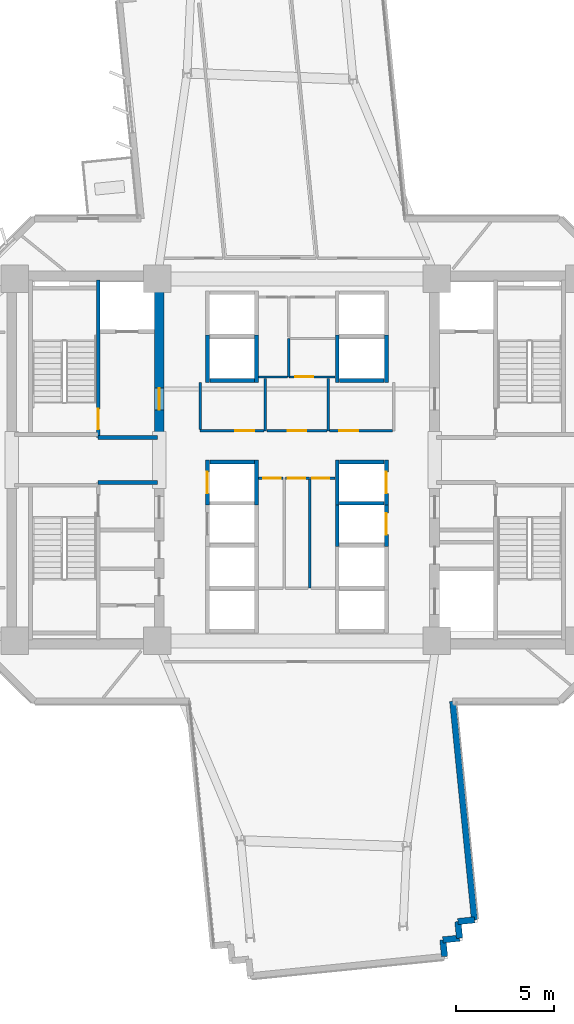
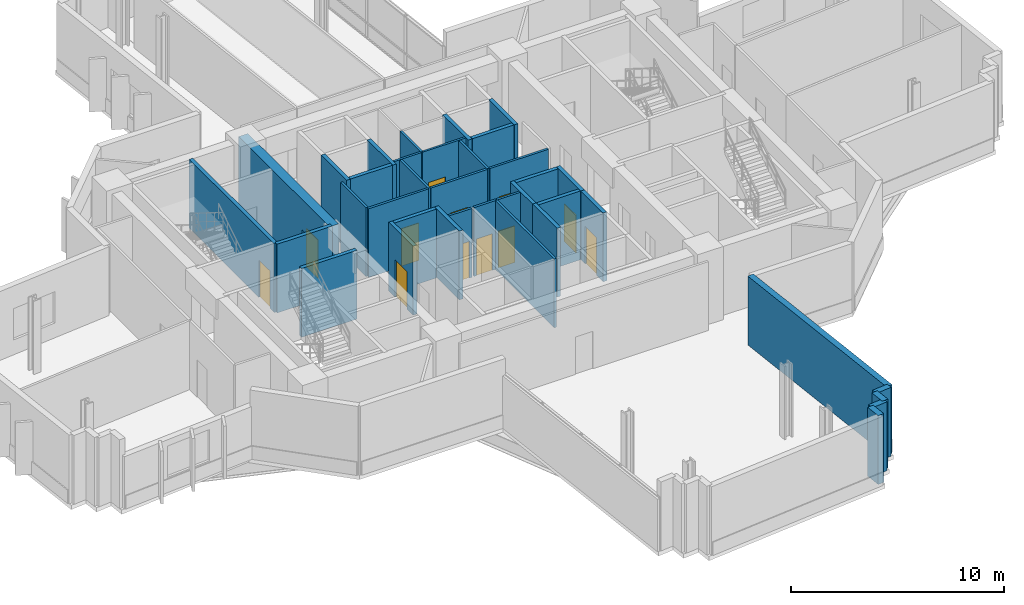
# One storey, part 7 of 14: 37 walls, 12 doors, 12 openings.
"""IFC4 building model written with IfcOpenShell, lengths in metres."""

from ifc_helpers import new_model, si_unit, direction, frame, frame_2d, origin, place, context, subcontext, project, spatial, rectangle, extrude, source, transform, mapped, material, layer, layer_set, type_object, element, fill, save


model = new_model("IFC4")

# Units and contexts
model_context = context("Model", 3, precision=1e-05, world=origin(), true_north=direction((0.0, 1.0)))
body_context = subcontext(model_context, "Body", "Model", "MODEL_VIEW")
ifc_project = project(units=[si_unit("LENGTHUNIT", "METRE"), si_unit("AREAUNIT", "SQUARE_METRE"), si_unit("VOLUMEUNIT", "CUBIC_METRE"), si_unit("PLANEANGLEUNIT", "RADIAN"), si_unit("MASSUNIT", "GRAM", prefix="KILO")], contexts=[model_context])

# Site, building, storey
site_placement = place(None, origin())
site = spatial("IfcSite", under=ifc_project, at=site_placement, CompositionType="ELEMENT")
building_placement = place(site_placement, origin())
building = spatial("IfcBuilding", under=site, at=building_placement, Name="Zahravan Cultural Tower", CompositionType="ELEMENT")
storey_placement = place(building_placement, frame((0.0, 0.0, 100.5)))
storey = spatial("IfcBuildingStorey", under=building, at=storey_placement, Name="L22", CompositionType="ELEMENT", Elevation=100.5)

# Wall, opening, door
ifc_material_1 = material(Name="Concrete C60/75", Category="concrete")
ifc_layer_1 = layer(ifc_material_1, 0.5)
ifc_layer_set_1 = layer_set([ifc_layer_1], Name="Concrete C60/75")
wall_type_1 = type_object("IfcWallType", Name="CW-SHEAR-500-C60", PredefinedType="SHEAR", material=ifc_layer_set_1)
wall_1_placement = place(storey_placement, frame((29.0, 28.050048828125, 0.0), z_axis=(0.0, 0.0, 1.0), x_axis=(0.0, 1.0, 0.0)))
wall_1 = element("IfcWall", 1, at=wall_1_placement, inside=storey, type_object=wall_type_1, Name="L22 Core Shear Wall CW-W-EN-L22", PredefinedType="SHEAR", context=body_context, shape_type="SweptSolid", body=[
    extrude(rectangle(XDim=8.550048828125, YDim=0.5, at=frame_2d((4.27490234375, 0.0))), origin(), (0.0, 0.0, 1.0), 3.949951171875),
])
opening_1_placement = place(wall_1_placement, frame((1.5, 0.0, 0.0)))
opening_1 = element("IfcOpeningElement", 2, at=opening_1_placement, cuts=wall_1, Name="Opening D-L22-05", PredefinedType="OPENING", context=body_context, shape_type="SweptSolid", body=[
    extrude(rectangle(XDim=1.10009765625, YDim=2.199951171875, at=frame_2d((0.550048828125, 1.10009765625))), frame((0.0, 0.260009765625, 0.0), z_axis=(0.0, -1.0, 0.0), x_axis=(1.0, 0.0, 0.0)), (0.0, 0.0, 1.0), 0.52001953125),
])
ifc_material_2 = material(Name="Steel ASTM A572 Grade 50", Category="steel")
door_type_1 = type_object("IfcDoorType", Name="DR-LOBBY-1100", OperationType="NOTDEFINED", PredefinedType="DOOR", material=ifc_material_2)
shared_shape_1 = source(origin(), body_context, "Body", "SweptSolid", [
    extrude(rectangle(XDim=1.10009765625, YDim=2.199951171875, at=frame_2d((0.550048828125, 1.10009765625))), frame((0.0, 0.02490234375, 0.0), z_axis=(0.0, -1.0, 0.0), x_axis=(1.0, 0.0, 0.0)), (0.0, 0.0, 1.0), 0.050048828125),
])
door_1_placement = place(opening_1_placement, origin())
door_1 = element("IfcDoor", 3, at=door_1_placement, inside=storey, type_object=door_type_1, Name="L22 Door D-L22-05", OperationType="SINGLE_SWING_RIGHT", OverallHeight=2.199951171875, OverallWidth=1.10009765625, PredefinedType="DOOR", context=body_context, shape_type="MappedRepresentation", body=[
    mapped(shared_shape_1, transform((0.0, 0.0, 0.0), x_axis=(1.0, 0.0, 0.0), y_axis=(0.0, 1.0, 0.0), z_axis=(0.0, 0.0, 1.0), scale=1.0)),
])
fill(opening_1, door_1)

ifc_material_3 = material(Name="Gypsum plasterboard partition")
ifc_layer_2 = layer(ifc_material_3, 0.125)
ifc_layer_set_2 = layer_set([ifc_layer_2], Name="Gypsum plasterboard partition")
wall_type_2 = type_object("IfcWallType", Name="W-PART-125", PredefinedType="PARTITIONING", material=ifc_layer_set_2)
wall_2_placement = place(storey_placement, frame((35.427490234375, 26.080078125, 0.0), z_axis=(0.0, 0.0, 1.0), x_axis=(1.0, 0.0, 0.0)))
wall_2 = element("IfcWall", 4, at=wall_2_placement, inside=storey, type_object=wall_type_2, Name="L22 Interior Wall 077", PredefinedType="PARTITIONING", context=body_context, shape_type="SweptSolid", body=[
    extrude(rectangle(XDim=1.21240234375, YDim=0.125, at=frame_2d((0.606201171875, 0.0))), origin(), (0.0, 0.0, 1.0), 3.949951171875),
])
opening_2_placement = place(wall_2_placement, frame((0.116455078125, 0.0, 0.0)))
opening_2 = element("IfcOpeningElement", 5, at=opening_2_placement, cuts=wall_2, Name="Opening D-L22-16", PredefinedType="OPENING", context=body_context, shape_type="SweptSolid", body=[
    extrude(rectangle(XDim=0.8798828125, YDim=2.10009765625, at=frame_2d((0.43994140625, 1.050048828125))), frame((0.0, 0.072509765625, 0.0), z_axis=(0.0, -1.0, 0.0), x_axis=(1.0, 0.0, 0.0)), (0.0, 0.0, 1.0), 0.14501953125),
])
ifc_material_4 = material(Name="Anodised bronze-aluminium mullion", Category="aluminium")
door_type_2 = type_object("IfcDoorType", Name="DR-ROOM-880", OperationType="NOTDEFINED", PredefinedType="DOOR", material=ifc_material_4)
shared_shape_2 = source(origin(), body_context, "Body", "SweptSolid", [
    extrude(rectangle(XDim=0.8798828125, YDim=2.10009765625, at=frame_2d((0.43994140625, 1.050048828125))), frame((0.0, 0.02490234375, 0.0), z_axis=(0.0, -1.0, 0.0), x_axis=(1.0, 0.0, 0.0)), (0.0, 0.0, 1.0), 0.050048828125),
])
door_2_placement = place(opening_2_placement, origin())
door_2 = element("IfcDoor", 6, at=door_2_placement, inside=storey, type_object=door_type_2, Name="L22 Door D-L22-16", OperationType="SINGLE_SWING_LEFT", OverallHeight=2.10009765625, OverallWidth=0.8798828125, PredefinedType="DOOR", context=body_context, shape_type="MappedRepresentation", body=[
    mapped(shared_shape_2, transform((0.0, 0.0, 0.0), x_axis=(1.0, 0.0, 0.0), y_axis=(0.0, 1.0, 0.0), z_axis=(0.0, 0.0, 1.0), scale=1.0)),
])
fill(opening_2, door_2)

wall_3_placement = place(storey_placement, frame((34.054931640625, 26.080078125, 0.0), z_axis=(0.0, 0.0, 1.0), x_axis=(1.0, 0.0, 0.0)))
wall_3 = element("IfcWall", 7, at=wall_3_placement, inside=storey, type_object=wall_type_2, Name="L22 Interior Wall 080", PredefinedType="PARTITIONING", context=body_context, shape_type="SweptSolid", body=[
    extrude(rectangle(XDim=1.237548828125, YDim=0.125, at=frame_2d((0.61865234375, 0.0))), origin(), (0.0, 0.0, 1.0), 3.949951171875),
])
opening_3_placement = place(wall_3_placement, frame((0.232421875, 0.0, 0.0)))
opening_3 = element("IfcOpeningElement", 8, at=opening_3_placement, cuts=wall_3, Name="Opening D-L22-15", PredefinedType="OPENING", context=body_context, shape_type="SweptSolid", body=[
    extrude(rectangle(XDim=0.8798828125, YDim=2.10009765625, at=frame_2d((0.43994140625, 1.050048828125))), frame((0.0, 0.072509765625, 0.0), z_axis=(0.0, -1.0, 0.0), x_axis=(1.0, 0.0, 0.0)), (0.0, 0.0, 1.0), 0.14501953125),
])
door_3_placement = place(opening_3_placement, origin())
door_3 = element("IfcDoor", 9, at=door_3_placement, inside=storey, type_object=door_type_2, Name="L22 Door D-L22-15", OperationType="SINGLE_SWING_RIGHT", OverallHeight=2.10009765625, OverallWidth=0.8798828125, PredefinedType="DOOR", context=body_context, shape_type="MappedRepresentation", body=[
    mapped(shared_shape_2, transform((0.0, 0.0, 0.0), x_axis=(1.0, 0.0, 0.0), y_axis=(0.0, 1.0, 0.0), z_axis=(0.0, 0.0, 1.0), scale=1.0)),
])
fill(opening_3, door_3)

wall_4_placement = place(storey_placement, frame((36.679931640625, 26.080078125, 0.0), z_axis=(0.0, 0.0, 1.0), x_axis=(1.0, 0.0, 0.0)))
wall_4 = element("IfcWall", 10, at=wall_4_placement, inside=storey, type_object=wall_type_2, Name="L22 Interior Wall 082", PredefinedType="PARTITIONING", context=body_context, shape_type="SweptSolid", body=[
    extrude(rectangle(XDim=1.26513671875, YDim=0.125, at=frame_2d((0.632568359375, 0.0))), origin(), (0.0, 0.0, 1.0), 3.949951171875),
])
opening_4_placement = place(wall_4_placement, frame((0.09033203125, 0.0, 0.0)))
opening_4 = element("IfcOpeningElement", 11, at=opening_4_placement, cuts=wall_4, Name="Opening D-L22-17", PredefinedType="OPENING", context=body_context, shape_type="SweptSolid", body=[
    extrude(rectangle(XDim=0.8798828125, YDim=2.10009765625, at=frame_2d((0.43994140625, 1.050048828125))), frame((0.0, 0.072509765625, 0.0), z_axis=(0.0, -1.0, 0.0), x_axis=(1.0, 0.0, 0.0)), (0.0, 0.0, 1.0), 0.14501953125),
])
door_4_placement = place(opening_4_placement, origin())
door_4 = element("IfcDoor", 12, at=door_4_placement, inside=storey, type_object=door_type_2, Name="L22 Door D-L22-17", OperationType="SINGLE_SWING_RIGHT", OverallHeight=2.10009765625, OverallWidth=0.8798828125, PredefinedType="DOOR", context=body_context, shape_type="MappedRepresentation", body=[
    mapped(shared_shape_2, transform((0.0, 0.0, 0.0), x_axis=(1.0, 0.0, 0.0), y_axis=(0.0, 1.0, 0.0), z_axis=(0.0, 0.0, 1.0), scale=1.0)),
])
fill(opening_4, door_4)

wall_5_placement = place(storey_placement, frame((37.532470703125, 28.47998046875, 0.0), z_axis=(0.0, 0.0, 1.0), x_axis=(-1.0, 0.0, 0.0)))
wall_5 = element("IfcWall", 13, at=wall_5_placement, inside=storey, type_object=wall_type_2, Name="L22 Interior Wall 086", PredefinedType="PARTITIONING", context=body_context, shape_type="SweptSolid", body=[
    extrude(rectangle(XDim=3.06494140625, YDim=0.125, at=frame_2d((1.532470703125, 0.0))), origin(), (0.0, 0.0, 1.0), 3.949951171875),
])
opening_5_placement = place(wall_5_placement, frame((1.0576171875, 0.0, 0.0)))
opening_5 = element("IfcOpeningElement", 14, at=opening_5_placement, cuts=wall_5, Name="Opening D-L22-19", PredefinedType="OPENING", context=body_context, shape_type="SweptSolid", body=[
    extrude(rectangle(XDim=0.949951171875, YDim=2.14990234375, at=frame_2d((0.47509765625, 1.074951171875))), frame((0.0, 0.072509765625, 0.0), z_axis=(0.0, -1.0, 0.0), x_axis=(1.0, 0.0, 0.0)), (0.0, 0.0, 1.0), 0.14501953125),
])
door_type_3 = type_object("IfcDoorType", Name="DR-ROOM-950", OperationType="NOTDEFINED", PredefinedType="DOOR", material=ifc_material_4)
shared_shape_3 = source(origin(), body_context, "Body", "SweptSolid", [
    extrude(rectangle(XDim=0.949951171875, YDim=2.14990234375, at=frame_2d((0.47509765625, 1.074951171875))), frame((0.0, 0.02490234375, 0.0), z_axis=(0.0, -1.0, 0.0), x_axis=(1.0, 0.0, 0.0)), (0.0, 0.0, 1.0), 0.050048828125),
])
door_5_placement = place(opening_5_placement, origin())
door_5 = element("IfcDoor", 15, at=door_5_placement, inside=storey, type_object=door_type_3, Name="L22 Door D-L22-19", OperationType="SINGLE_SWING_RIGHT", OverallHeight=2.14990234375, OverallWidth=0.949951171875, PredefinedType="DOOR", context=body_context, shape_type="MappedRepresentation", body=[
    mapped(shared_shape_3, transform((0.0, 0.0, 0.0), x_axis=(1.0, 0.0, 0.0), y_axis=(0.0, 1.0, 0.0), z_axis=(0.0, 0.0, 1.0), scale=1.0)),
])
fill(opening_5, door_5)

wall_6_placement = place(storey_placement, frame((34.33251953125, 28.47998046875, 0.0), z_axis=(0.0, 0.0, 1.0), x_axis=(-1.0, 0.0, 0.0)))
wall_6 = element("IfcWall", 16, at=wall_6_placement, inside=storey, type_object=wall_type_2, Name="L22 Interior Wall 087", PredefinedType="PARTITIONING", context=body_context, shape_type="SweptSolid", body=[
    extrude(rectangle(XDim=3.25244140625, YDim=0.125, at=frame_2d((1.626220703125, 0.0))), origin(), (0.0, 0.0, 1.0), 3.949951171875),
])
opening_6_placement = place(wall_6_placement, frame((0.506591796875, 0.0, 0.0)))
opening_6 = element("IfcOpeningElement", 17, at=opening_6_placement, cuts=wall_6, Name="Opening D-L22-18", PredefinedType="OPENING", context=body_context, shape_type="SweptSolid", body=[
    extrude(rectangle(XDim=0.949951171875, YDim=2.14990234375, at=frame_2d((0.47509765625, 1.074951171875))), frame((0.0, 0.072509765625, 0.0), z_axis=(0.0, -1.0, 0.0), x_axis=(1.0, 0.0, 0.0)), (0.0, 0.0, 1.0), 0.14501953125),
])
door_6_placement = place(opening_6_placement, origin())
door_6 = element("IfcDoor", 18, at=door_6_placement, inside=storey, type_object=door_type_3, Name="L22 Door D-L22-18", OperationType="SINGLE_SWING_LEFT", OverallHeight=2.14990234375, OverallWidth=0.949951171875, PredefinedType="DOOR", context=body_context, shape_type="MappedRepresentation", body=[
    mapped(shared_shape_3, transform((0.0, 0.0, 0.0), x_axis=(1.0, 0.0, 0.0), y_axis=(0.0, 1.0, 0.0), z_axis=(0.0, 0.0, 1.0), scale=1.0)),
])
fill(opening_6, door_6)

wall_7_placement = place(storey_placement, frame((40.8525390625, 28.47998046875, 0.0), z_axis=(0.0, 0.0, 1.0), x_axis=(-1.0, 0.0, 0.0)))
wall_7 = element("IfcWall", 19, at=wall_7_placement, inside=storey, type_object=wall_type_2, Name="L22 Interior Wall 090", PredefinedType="PARTITIONING", context=body_context, shape_type="SweptSolid", body=[
    extrude(rectangle(XDim=3.18505859375, YDim=0.125, at=frame_2d((1.592529296875, 0.0))), origin(), (0.0, 0.0, 1.0), 3.949951171875),
])
opening_7_placement = place(wall_7_placement, frame((1.743408203125, 0.0, 0.0)))
opening_7 = element("IfcOpeningElement", 20, at=opening_7_placement, cuts=wall_7, Name="Opening D-L22-20", PredefinedType="OPENING", context=body_context, shape_type="SweptSolid", body=[
    extrude(rectangle(XDim=0.949951171875, YDim=2.14990234375, at=frame_2d((0.47509765625, 1.074951171875))), frame((0.0, 0.072509765625, 0.0), z_axis=(0.0, -1.0, 0.0), x_axis=(1.0, 0.0, 0.0)), (0.0, 0.0, 1.0), 0.14501953125),
])
door_7_placement = place(opening_7_placement, origin())
door_7 = element("IfcDoor", 21, at=door_7_placement, inside=storey, type_object=door_type_3, Name="L22 Door D-L22-20", OperationType="SINGLE_SWING_LEFT", OverallHeight=2.14990234375, OverallWidth=0.949951171875, PredefinedType="DOOR", context=body_context, shape_type="MappedRepresentation", body=[
    mapped(shared_shape_3, transform((0.0, 0.0, 0.0), x_axis=(1.0, 0.0, 0.0), y_axis=(0.0, 1.0, 0.0), z_axis=(0.0, 0.0, 1.0), scale=1.0)),
])
fill(opening_7, door_7)

ifc_material_5 = material(Name="Concrete C45/55", Category="concrete")
ifc_layer_3 = layer(ifc_material_5, 0.199951171875)
ifc_layer_set_3 = layer_set([ifc_layer_3], Name="Concrete C45/55")
wall_type_3 = type_object("IfcWallType", Name="W-SHAFT-200", PredefinedType="SOLIDWALL", material=ifc_layer_set_3)
wall_8_placement = place(storey_placement, frame((25.89990234375, 28.14990234375, 0.0), z_axis=(0.0, 0.0, 1.0), x_axis=(0.0, 1.0, 0.0)))
wall_8 = element("IfcWall", 22, at=wall_8_placement, inside=storey, type_object=wall_type_3, Name="L22 Interior Wall 006", PredefinedType="SOLIDWALL", context=body_context, shape_type="SweptSolid", body=[
    extrude(rectangle(XDim=8.0, YDim=0.199951171875, at=frame_2d((4.0, 0.0))), origin(), (0.0, 0.0, 1.0), 3.949951171875),
])
opening_8_placement = place(wall_8_placement, frame((0.39990234375, 0.0, 0.0)))
opening_8 = element("IfcOpeningElement", 23, at=opening_8_placement, cuts=wall_8, Name="Opening D-L22-01", PredefinedType="OPENING", context=body_context, shape_type="SweptSolid", body=[
    extrude(rectangle(XDim=1.050048828125, YDim=2.14990234375, at=frame_2d((0.52490234375, 1.074951171875))), frame((0.0, 0.10986328125, 0.0), z_axis=(0.0, -1.0, 0.0), x_axis=(1.0, 0.0, 0.0)), (0.0, 0.0, 1.0), 0.219970703125),
])
door_type_4 = type_object("IfcDoorType", Name="DR-STAIR-1050", OperationType="NOTDEFINED", PredefinedType="DOOR", material=ifc_material_2)
shared_shape_4 = source(origin(), body_context, "Body", "SweptSolid", [
    extrude(rectangle(XDim=1.050048828125, YDim=2.14990234375, at=frame_2d((0.52490234375, 1.074951171875))), frame((0.0, 0.02490234375, 0.0), z_axis=(0.0, -1.0, 0.0), x_axis=(1.0, 0.0, 0.0)), (0.0, 0.0, 1.0), 0.050048828125),
])
door_8_placement = place(opening_8_placement, origin())
door_8 = element("IfcDoor", 24, at=door_8_placement, inside=storey, type_object=door_type_4, Name="L22 Door D-L22-01", OperationType="SINGLE_SWING_RIGHT", OverallHeight=2.14990234375, OverallWidth=1.050048828125, PredefinedType="DOOR", context=body_context, shape_type="MappedRepresentation", body=[
    mapped(shared_shape_4, transform((0.0, 0.0, 0.0), x_axis=(1.0, 0.0, 0.0), y_axis=(0.0, 1.0, 0.0), z_axis=(0.0, 0.0, 1.0), scale=1.0)),
])
fill(opening_8, door_8)

wall_9_placement = place(storey_placement, frame((31.449951171875, 24.699951171875, 0.0), z_axis=(0.0, 0.0, 1.0), x_axis=(0.0, 1.0, 0.0)))
wall_9 = element("IfcWall", 25, at=wall_9_placement, inside=storey, type_object=wall_type_3, Name="L22 Interior Wall 057", PredefinedType="SOLIDWALL", context=body_context, shape_type="SweptSolid", body=[
    extrude(rectangle(XDim=2.300048828125, YDim=0.199951171875, at=frame_2d((1.14990234375, 0.0))), origin(), (0.0, 0.0, 1.0), 3.949951171875),
])
opening_9_placement = place(wall_9_placement, frame((0.60009765625, 0.0, 0.0)))
opening_9 = element("IfcOpeningElement", 26, at=opening_9_placement, cuts=wall_9, Name="Opening LD-L22-04", PredefinedType="OPENING", context=body_context, shape_type="SweptSolid", body=[
    extrude(rectangle(XDim=1.10009765625, YDim=2.14990234375, at=frame_2d((0.550048828125, 1.074951171875))), frame((0.0, 0.10986328125, 0.0), z_axis=(0.0, -1.0, 0.0), x_axis=(1.0, 0.0, 0.0)), (0.0, 0.0, 1.0), 0.219970703125),
])
door_type_5 = type_object("IfcDoorType", Name="DR-LIFT-1100", OperationType="DOUBLE_DOOR_SLIDING", PredefinedType="DOOR", material=ifc_material_2)
shared_shape_5 = source(origin(), body_context, "Body", "SweptSolid", [
    extrude(rectangle(XDim=1.10009765625, YDim=2.14990234375, at=frame_2d((0.550048828125, 1.074951171875))), frame((0.0, 0.02490234375, 0.0), z_axis=(0.0, -1.0, 0.0), x_axis=(1.0, 0.0, 0.0)), (0.0, 0.0, 1.0), 0.050048828125),
])
door_9_placement = place(opening_9_placement, origin())
door_9 = element("IfcDoor", 27, at=door_9_placement, inside=storey, type_object=door_type_5, Name="L22 Door LD-L22-04", OperationType="DOUBLE_DOOR_SLIDING", OverallHeight=2.14990234375, OverallWidth=1.10009765625, PredefinedType="DOOR", context=body_context, shape_type="MappedRepresentation", body=[
    mapped(shared_shape_5, transform((0.0, 0.0, 0.0), x_axis=(1.0, 0.0, 0.0), y_axis=(0.0, 1.0, 0.0), z_axis=(0.0, 0.0, 1.0), scale=1.0)),
])
fill(opening_9, door_9)

wall_10_placement = place(storey_placement, frame((40.550048828125, 24.699951171875, 0.0), z_axis=(0.0, 0.0, 1.0), x_axis=(0.0, 1.0, 0.0)))
wall_10 = element("IfcWall", 28, at=wall_10_placement, inside=storey, type_object=wall_type_3, Name="L22 Interior Wall 064", PredefinedType="SOLIDWALL", context=body_context, shape_type="SweptSolid", body=[
    extrude(rectangle(XDim=2.300048828125, YDim=0.199951171875, at=frame_2d((1.14990234375, 0.0))), origin(), (0.0, 0.0, 1.0), 3.949951171875),
])
opening_10_placement = place(wall_10_placement, frame((0.60009765625, 0.0, 0.0)))
opening_10 = element("IfcOpeningElement", 29, at=opening_10_placement, cuts=wall_10, Name="Opening LD-L22-06", PredefinedType="OPENING", context=body_context, shape_type="SweptSolid", body=[
    extrude(rectangle(XDim=1.10009765625, YDim=2.14990234375, at=frame_2d((0.550048828125, 1.074951171875))), frame((0.0, 0.10986328125, 0.0), z_axis=(0.0, -1.0, 0.0), x_axis=(1.0, 0.0, 0.0)), (0.0, 0.0, 1.0), 0.219970703125),
])
door_10_placement = place(opening_10_placement, origin())
door_10 = element("IfcDoor", 30, at=door_10_placement, inside=storey, type_object=door_type_5, Name="L22 Door LD-L22-06", OperationType="DOUBLE_DOOR_SLIDING", OverallHeight=2.14990234375, OverallWidth=1.10009765625, PredefinedType="DOOR", context=body_context, shape_type="MappedRepresentation", body=[
    mapped(shared_shape_5, transform((0.0, 0.0, 0.0), x_axis=(1.0, 0.0, 0.0), y_axis=(0.0, 1.0, 0.0), z_axis=(0.0, 0.0, 1.0), scale=1.0)),
])
fill(opening_10, door_10)

wall_11_placement = place(storey_placement, frame((40.550048828125, 22.60009765625, 0.0), z_axis=(0.0, 0.0, 1.0), x_axis=(0.0, 1.0, 0.0)))
wall_11 = element("IfcWall", 31, at=wall_11_placement, inside=storey, type_object=wall_type_3, Name="L22 Interior Wall 068", PredefinedType="SOLIDWALL", context=body_context, shape_type="SweptSolid", body=[
    extrude(rectangle(XDim=2.2998046875, YDim=0.199951171875, at=frame_2d((1.14990234375, 0.0))), origin(), (0.0, 0.0, 1.0), 3.949951171875),
])
opening_11_placement = place(wall_11_placement, frame((0.60009765625, 0.0, 0.0)))
opening_11 = element("IfcOpeningElement", 32, at=opening_11_placement, cuts=wall_11, Name="Opening LD-L22-07", PredefinedType="OPENING", context=body_context, shape_type="SweptSolid", body=[
    extrude(rectangle(XDim=1.10009765625, YDim=2.14990234375, at=frame_2d((0.550048828125, 1.074951171875))), frame((0.0, 0.10986328125, 0.0), z_axis=(0.0, -1.0, 0.0), x_axis=(1.0, 0.0, 0.0)), (0.0, 0.0, 1.0), 0.219970703125),
])
door_11_placement = place(opening_11_placement, origin())
door_11 = element("IfcDoor", 33, at=door_11_placement, inside=storey, type_object=door_type_5, Name="L22 Door LD-L22-07", OperationType="DOUBLE_DOOR_SLIDING", OverallHeight=2.14990234375, OverallWidth=1.10009765625, PredefinedType="DOOR", context=body_context, shape_type="MappedRepresentation", body=[
    mapped(shared_shape_5, transform((0.0, 0.0, 0.0), x_axis=(1.0, 0.0, 0.0), y_axis=(0.0, 1.0, 0.0), z_axis=(0.0, 0.0, 1.0), scale=1.0)),
])
fill(opening_11, door_11)

ifc_layer_4 = layer(ifc_material_3, 0.114990234375)
ifc_layer_set_4 = layer_set([ifc_layer_4], Name="Gypsum plasterboard partition")
wall_type_4 = type_object("IfcWallType", Name="W-WC-115", PredefinedType="PARTITIONING", material=ifc_layer_set_4)
wall_12_placement = place(storey_placement, frame((37.945068359375, 31.219970703125, 0.0), z_axis=(0.0, 0.0, 1.0), x_axis=(-1.0, 0.0, 0.0)))
wall_12 = element("IfcWall", 34, at=wall_12_placement, inside=storey, type_object=wall_type_4, Name="L22 Interior Wall 069", PredefinedType="PARTITIONING", context=body_context, shape_type="SweptSolid", body=[
    extrude(rectangle(XDim=2.35498046875, YDim=0.114990234375, at=frame_2d((1.177490234375, 0.0))), origin(), (0.0, 0.0, 1.0), 3.949951171875),
])
opening_12_placement = place(wall_12_placement, frame((1.120849609375, 0.0, 0.0)))
opening_12 = element("IfcOpeningElement", 35, at=opening_12_placement, cuts=wall_12, Name="Opening D-L22-30", PredefinedType="OPENING", context=body_context, shape_type="SweptSolid", body=[
    extrude(rectangle(XDim=0.89990234375, YDim=2.10009765625, at=frame_2d((0.449951171875, 1.050048828125))), frame((0.0, 0.0673828125, 0.0), z_axis=(0.0, -1.0, 0.0), x_axis=(1.0, 0.0, 0.0)), (0.0, 0.0, 1.0), 0.135009765625),
])
door_type_6 = type_object("IfcDoorType", Name="DR-WC-900", OperationType="NOTDEFINED", PredefinedType="DOOR", material=ifc_material_4)
shared_shape_6 = source(origin(), body_context, "Body", "SweptSolid", [
    extrude(rectangle(XDim=0.89990234375, YDim=2.10009765625, at=frame_2d((0.449951171875, 1.050048828125))), frame((0.0, 0.02490234375, 0.0), z_axis=(0.0, -1.0, 0.0), x_axis=(1.0, 0.0, 0.0)), (0.0, 0.0, 1.0), 0.050048828125),
])
door_12_placement = place(opening_12_placement, origin())
door_12 = element("IfcDoor", 36, at=door_12_placement, inside=storey, type_object=door_type_6, Name="L22 Door D-L22-30", OperationType="SINGLE_SWING_LEFT", OverallHeight=2.10009765625, OverallWidth=0.89990234375, PredefinedType="DOOR", context=body_context, shape_type="MappedRepresentation", body=[
    mapped(shared_shape_6, transform((0.0, 0.0, 0.0), x_axis=(1.0, 0.0, 0.0), y_axis=(0.0, 1.0, 0.0), z_axis=(0.0, 0.0, 1.0), scale=1.0)),
])
fill(opening_12, door_12)

# Walls
ifc_material_6 = material(Name="Precast concrete C40/50", Category="concrete")
ifc_layer_5 = layer(ifc_material_6, 0.320068359375)
ifc_layer_set_5 = layer_set([ifc_layer_5], Name="Precast concrete C40/50")
wall_type_5 = type_object("IfcWallType", Name="EW-TC-320", PredefinedType="SOLIDWALL", material=ifc_layer_set_5)
shared_shape_7 = source(origin(), body_context, "Body", "SweptSolid", [
    extrude(rectangle(XDim=0.849853515625, YDim=0.320068359375, at=frame_2d((0.4248046875, 0.0))), origin(), (0.0, 0.0, 1.0), 3.949951171875),
])
for number, where, z_axis, x_axis, name in (
    (37, (45.026611328125, 3.620849609375, 0.0), (0.0, 0.0, 1.0), (-0.995076929088, -0.099105525559, 0.0), "L22 Exterior Masonry Frame Wall 42"),
    (38, (43.41943359375, 2.606201171875, 0.0), (0.0, 0.0, 1.0), (0.09938995433, -0.995048560111, 0.0), "L22 Exterior Masonry Frame Wall 45"),
):
    element("IfcWall", number, at=place(storey_placement, frame(where, z_axis=z_axis, x_axis=x_axis)), inside=storey, type_object=wall_type_5, Name=name, PredefinedType="SOLIDWALL", context=body_context, shape_type="MappedRepresentation", body=[
        mapped(shared_shape_7, transform((0.0, 0.0, 0.0), x_axis=(1.0, 0.0, 0.0), y_axis=(0.0, 1.0, 0.0), z_axis=(0.0, 0.0, 1.0), scale=1.0)),
    ])
shared_shape_8 = source(origin(), body_context, "Body", "SweptSolid", [
    extrude(rectangle(XDim=0.85009765625, YDim=0.320068359375, at=frame_2d((0.425048828125, 0.0))), origin(), (0.0, 0.0, 1.0), 3.949951171875),
])
for number, where, z_axis, x_axis, name in (
    (39, (44.180908203125, 3.53662109375, 0.0), (0.0, 0.0, 1.0), (0.099361553589, -0.995051396496, 0.0), "L22 Exterior Masonry Frame Wall 43"),
    (40, (44.265380859375, 2.690673828125, 0.0), (0.0, 0.0, 1.0), (-0.995051396496, -0.099361553589, 0.0), "L22 Exterior Masonry Frame Wall 44"),
):
    element("IfcWall", number, at=place(storey_placement, frame(where, z_axis=z_axis, x_axis=x_axis)), inside=storey, type_object=wall_type_5, Name=name, PredefinedType="SOLIDWALL", context=body_context, shape_type="MappedRepresentation", body=[
        mapped(shared_shape_8, transform((0.0, 0.0, 0.0), x_axis=(1.0, 0.0, 0.0), y_axis=(0.0, 1.0, 0.0), z_axis=(0.0, 0.0, 1.0), scale=1.0)),
    ])
shared_shape_9 = source(origin(), body_context, "Body", "SweptSolid", [
    extrude(rectangle(XDim=11.17431640625, YDim=0.320068359375, at=frame_2d((5.587158203125, 0.0))), origin(), (0.0, 0.0, 1.0), 3.949951171875),
])
wall_13_placement = place(storey_placement, frame((43.916748046875, 14.739990234375, 0.0), z_axis=(0.0, 0.0, 1.0), x_axis=(0.099322009391, -0.995055344416, 0.0)))
element("IfcWall", 41, at=wall_13_placement, inside=storey, type_object=wall_type_5, Name="L22 Exterior Masonry Frame Wall 41", PredefinedType="SOLIDWALL", context=body_context, shape_type="MappedRepresentation", body=[
    mapped(shared_shape_9, transform((0.0, 0.0, 0.0), x_axis=(1.0, 0.0, 0.0), y_axis=(0.0, 1.0, 0.0), z_axis=(0.0, 0.0, 1.0), scale=1.0)),
])
shared_shape_10 = source(origin(), body_context, "Body", "SweptSolid", [
    extrude(rectangle(XDim=3.0, YDim=0.199951171875, at=frame_2d((1.5, 0.0))), origin(), (0.0, 0.0, 1.0), 3.949951171875),
])
for number, where, z_axis, x_axis, name in (
    (42, (25.89990234375, 25.85009765625, 0.0), (0.0, 0.0, 1.0), (1.0, 0.0, 0.0), "L22 Interior Wall 010"),
    (43, (25.89990234375, 28.14990234375, 0.0), (0.0, 0.0, 1.0), (1.0, 0.0, 0.0), "L22 Interior Wall 012"),
):
    element("IfcWall", number, at=place(storey_placement, frame(where, z_axis=z_axis, x_axis=x_axis)), inside=storey, type_object=wall_type_3, Name=name, PredefinedType="SOLIDWALL", context=body_context, shape_type="MappedRepresentation", body=[
        mapped(shared_shape_10, transform((0.0, 0.0, 0.0), x_axis=(1.0, 0.0, 0.0), y_axis=(0.0, 1.0, 0.0), z_axis=(0.0, 0.0, 1.0), scale=1.0)),
    ])
shared_shape_11 = source(origin(), body_context, "Body", "SweptSolid", [
    extrude(rectangle(XDim=2.400146484375, YDim=0.199951171875, at=frame_2d((1.2001953125, 0.0))), origin(), (0.0, 0.0, 1.0), 3.949951171875),
])
for number, where, z_axis, x_axis, name in (
    (44, (31.449951171875, 30.949951171875, 0.0), (0.0, 0.0, 1.0), (0.0, 1.0, 0.0), "L22 Interior Wall 033"),
    (45, (33.949951171875, 30.949951171875, 0.0), (0.0, 0.0, 1.0), (0.0, 1.0, 0.0), "L22 Interior Wall 034"),
    (46, (38.050048828125, 30.949951171875, 0.0), (0.0, 0.0, 1.0), (0.0, 1.0, 0.0), "L22 Interior Wall 040"),
    (47, (40.550048828125, 30.949951171875, 0.0), (0.0, 0.0, 1.0), (0.0, 1.0, 0.0), "L22 Interior Wall 041"),
):
    element("IfcWall", number, at=place(storey_placement, frame(where, z_axis=z_axis, x_axis=x_axis)), inside=storey, type_object=wall_type_3, Name=name, PredefinedType="SOLIDWALL", context=body_context, shape_type="MappedRepresentation", body=[
        mapped(shared_shape_11, transform((0.0, 0.0, 0.0), x_axis=(1.0, 0.0, 0.0), y_axis=(0.0, 1.0, 0.0), z_axis=(0.0, 0.0, 1.0), scale=1.0)),
    ])
shared_shape_12 = source(origin(), body_context, "Body", "SweptSolid", [
    extrude(rectangle(XDim=2.260009765625, YDim=0.199951171875, at=frame_2d((1.1298828125, 0.0))), origin(), (0.0, 0.0, 1.0), 3.949951171875),
])
for number, where, z_axis, x_axis, name in (
    (48, (31.570068359375, 31.050048828125, 0.0), (0.0, 0.0, 1.0), (1.0, 0.0, 0.0), "L22 Interior Wall 035"),
    (49, (38.169921875, 31.050048828125, 0.0), (0.0, 0.0, 1.0), (1.0, 0.0, 0.0), "L22 Interior Wall 042"),
    (50, (31.570068359375, 26.89990234375, 0.0), (0.0, 0.0, 1.0), (1.0, 0.0, 0.0), "L22 Interior Wall 060"),
    (51, (38.169921875, 24.800048828125, 0.0), (0.0, 0.0, 1.0), (1.0, 0.0, 0.0), "L22 Interior Wall 065"),
    (52, (38.169921875, 26.89990234375, 0.0), (0.0, 0.0, 1.0), (1.0, 0.0, 0.0), "L22 Interior Wall 066"),
):
    element("IfcWall", number, at=place(storey_placement, frame(where, z_axis=z_axis, x_axis=x_axis)), inside=storey, type_object=wall_type_3, Name=name, PredefinedType="SOLIDWALL", context=body_context, shape_type="MappedRepresentation", body=[
        mapped(shared_shape_12, transform((0.0, 0.0, 0.0), x_axis=(1.0, 0.0, 0.0), y_axis=(0.0, 1.0, 0.0), z_axis=(0.0, 0.0, 1.0), scale=1.0)),
    ])
shared_shape_13 = source(origin(), body_context, "Body", "SweptSolid", [
    extrude(rectangle(XDim=2.300048828125, YDim=0.199951171875, at=frame_2d((1.14990234375, 0.0))), origin(), (0.0, 0.0, 1.0), 3.949951171875),
])
for number, where, z_axis, x_axis, name in (
    (53, (33.949951171875, 24.699951171875, 0.0), (0.0, 0.0, 1.0), (0.0, 1.0, 0.0), "L22 Interior Wall 058"),
    (54, (38.050048828125, 24.699951171875, 0.0), (0.0, 0.0, 1.0), (0.0, 1.0, 0.0), "L22 Interior Wall 063"),
):
    element("IfcWall", number, at=place(storey_placement, frame(where, z_axis=z_axis, x_axis=x_axis)), inside=storey, type_object=wall_type_3, Name=name, PredefinedType="SOLIDWALL", context=body_context, shape_type="MappedRepresentation", body=[
        mapped(shared_shape_13, transform((0.0, 0.0, 0.0), x_axis=(1.0, 0.0, 0.0), y_axis=(0.0, 1.0, 0.0), z_axis=(0.0, 0.0, 1.0), scale=1.0)),
    ])
shared_shape_14 = source(origin(), body_context, "Body", "SweptSolid", [
    extrude(rectangle(XDim=2.2998046875, YDim=0.199951171875, at=frame_2d((1.14990234375, 0.0))), origin(), (0.0, 0.0, 1.0), 3.949951171875),
])
wall_14_placement = place(storey_placement, frame((38.050048828125, 22.60009765625, 0.0), z_axis=(0.0, 0.0, 1.0), x_axis=(0.0, 1.0, 0.0)))
element("IfcWall", 55, at=wall_14_placement, inside=storey, type_object=wall_type_3, Name="L22 Interior Wall 067", PredefinedType="SOLIDWALL", context=body_context, shape_type="MappedRepresentation", body=[
    mapped(shared_shape_14, transform((0.0, 0.0, 0.0), x_axis=(1.0, 0.0, 0.0), y_axis=(0.0, 1.0, 0.0), z_axis=(0.0, 0.0, 1.0), scale=1.0)),
])
shared_shape_15 = source(origin(), body_context, "Body", "SweptSolid", [
    extrude(rectangle(XDim=1.9599609375, YDim=0.114990234375, at=frame_2d((0.97998046875, 0.0))), origin(), (0.0, 0.0, 1.0), 3.949951171875),
])
wall_15_placement = place(storey_placement, frame((35.590087890625, 31.219970703125, 0.0), z_axis=(0.0, 0.0, 1.0), x_axis=(0.0, 1.0, 0.0)))
element("IfcWall", 56, at=wall_15_placement, inside=storey, type_object=wall_type_4, Name="L22 Interior Wall 070", PredefinedType="PARTITIONING", context=body_context, shape_type="MappedRepresentation", body=[
    mapped(shared_shape_15, transform((0.0, 0.0, 0.0), x_axis=(1.0, 0.0, 0.0), y_axis=(0.0, 1.0, 0.0), z_axis=(0.0, 0.0, 1.0), scale=1.0)),
])
shared_shape_16 = source(origin(), body_context, "Body", "SweptSolid", [
    extrude(rectangle(XDim=1.47265625, YDim=0.114990234375, at=frame_2d((0.736328125, 0.0))), origin(), (0.0, 0.0, 1.0), 3.949951171875),
])
wall_16_placement = place(storey_placement, frame((35.527587890625, 31.219970703125, 0.0), z_axis=(0.0, 0.0, 1.0), x_axis=(-1.0, 0.0, 0.0)))
element("IfcWall", 57, at=wall_16_placement, inside=storey, type_object=wall_type_4, Name="L22 Interior Wall 074", PredefinedType="PARTITIONING", context=body_context, shape_type="MappedRepresentation", body=[
    mapped(shared_shape_16, transform((0.0, 0.0, 0.0), x_axis=(1.0, 0.0, 0.0), y_axis=(0.0, 1.0, 0.0), z_axis=(0.0, 0.0, 1.0), scale=1.0)),
])
shared_shape_17 = source(origin(), body_context, "Body", "SweptSolid", [
    extrude(rectangle(XDim=5.5224609375, YDim=0.125, at=frame_2d((2.76123046875, 0.0))), origin(), (0.0, 0.0, 1.0), 3.949951171875),
])
wall_17_placement = place(storey_placement, frame((36.639892578125, 26.012451171875, 0.0), z_axis=(0.0, 0.0, 1.0), x_axis=(0.0, -1.0, 0.0)))
element("IfcWall", 58, at=wall_17_placement, inside=storey, type_object=wall_type_2, Name="L22 Interior Wall 078", PredefinedType="PARTITIONING", context=body_context, shape_type="MappedRepresentation", body=[
    mapped(shared_shape_17, transform((0.0, 0.0, 0.0), x_axis=(1.0, 0.0, 0.0), y_axis=(0.0, 1.0, 0.0), z_axis=(0.0, 0.0, 1.0), scale=1.0)),
])
shared_shape_18 = source(origin(), body_context, "Body", "SweptSolid", [
    extrude(rectangle(XDim=2.659912109375, YDim=0.125, at=frame_2d((1.330078125, 0.0))), origin(), (0.0, 0.0, 1.0), 3.949951171875),
])
for number, where, z_axis, x_axis, name in (
    (59, (34.39990234375, 28.47998046875, 0.0), (0.0, 0.0, 1.0), (0.0, 1.0, 0.0), "L22 Interior Wall 084"),
    (60, (37.60009765625, 31.139892578125, 0.0), (0.0, 0.0, 1.0), (0.0, -1.0, 0.0), "L22 Interior Wall 085"),
):
    element("IfcWall", number, at=place(storey_placement, frame(where, z_axis=z_axis, x_axis=x_axis)), inside=storey, type_object=wall_type_2, Name=name, PredefinedType="PARTITIONING", context=body_context, shape_type="MappedRepresentation", body=[
        mapped(shared_shape_18, transform((0.0, 0.0, 0.0), x_axis=(1.0, 0.0, 0.0), y_axis=(0.0, 1.0, 0.0), z_axis=(0.0, 0.0, 1.0), scale=1.0)),
    ])
shared_shape_19 = source(origin(), body_context, "Body", "SweptSolid", [
    extrude(rectangle(XDim=2.40234375, YDim=0.125, at=frame_2d((1.201171875, 0.0))), origin(), (0.0, 0.0, 1.0), 3.949951171875),
])
wall_18_placement = place(storey_placement, frame((31.080078125, 28.547607421875, 0.0), z_axis=(0.0, 0.0, 1.0), x_axis=(0.0, 1.0, 0.0)))
element("IfcWall", 61, at=wall_18_placement, inside=storey, type_object=wall_type_2, Name="L22 Interior Wall 088", PredefinedType="PARTITIONING", context=body_context, shape_type="MappedRepresentation", body=[
    mapped(shared_shape_19, transform((0.0, 0.0, 0.0), x_axis=(1.0, 0.0, 0.0), y_axis=(0.0, 1.0, 0.0), z_axis=(0.0, 0.0, 1.0), scale=1.0)),
])

save(model, "model.ifc")
